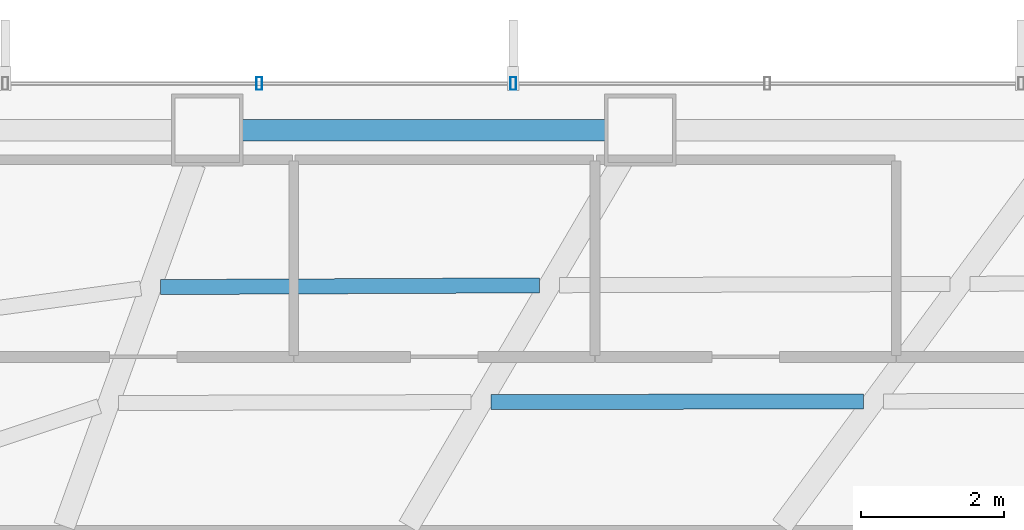
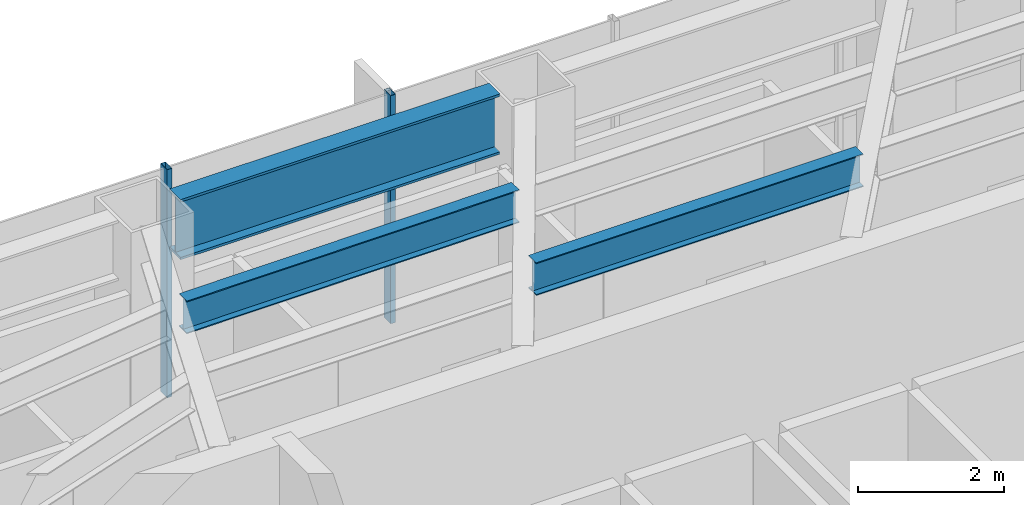
# One storey, part 10 of 24: 3 beams, 2 members, 1 element without a shape of its own.
"""IFC4 building model written with IfcOpenShell, lengths in metres."""

from ifc_helpers import new_model, si_unit, direction, frame, origin, origin_2d, place, context, subcontext, project, spatial, hollow_rectangle, i_section, extrude, material, layer, layer_set, material_profile, profile_set, type_object, element, aggregate, save


model = new_model("IFC4")

# Units and contexts
model_context = context("Model", 3, precision=1e-05, world=origin(), true_north=direction((0.0, 1.0)))
body_context = subcontext(model_context, "Body", "Model", "MODEL_VIEW")
ifc_project = project(units=[si_unit("LENGTHUNIT", "METRE"), si_unit("AREAUNIT", "SQUARE_METRE"), si_unit("VOLUMEUNIT", "CUBIC_METRE"), si_unit("PLANEANGLEUNIT", "RADIAN"), si_unit("MASSUNIT", "GRAM", prefix="KILO")], contexts=[model_context])

# Site, building, storey
site_placement = place(None, origin())
site = spatial("IfcSite", under=ifc_project, at=site_placement, CompositionType="ELEMENT")
building_placement = place(site_placement, origin())
building = spatial("IfcBuilding", under=site, at=building_placement, Name="Zarrinselat Tower", CompositionType="ELEMENT")
storey_placement = place(building_placement, frame((0.0, 0.0, 64.260009765625)))
storey = spatial("IfcBuildingStorey", under=building, at=storey_placement, Name="L15", CompositionType="ELEMENT", Elevation=64.260009765625)

# Beams
ifc_material_1 = material(Name="Steel S460M", Category="steel")
ifc_material_profile_1 = material_profile(ifc_material_1, i_section(OverallWidth=0.302001953125, OverallDepth=1.008056640625, WebThickness=0.02099609375, FlangeThickness=0.0400390625, at=origin_2d()), Name="HEM 1000")
ifc_profile_set_1 = profile_set([ifc_material_profile_1], Name="Steel S460M")
beam_type_1 = type_object("IfcBeamType", Name="BM-HEM1000", PredefinedType="BEAM", material=ifc_profile_set_1)
beam_1_placement = place(storey_placement, frame((33.4833984375, 49.1611328125, 3.31591796875), z_axis=(1.0, 0.0, 0.0), x_axis=(0.0, 1.0, 0.0)))
element("IfcBeam", 1, at=beam_1_placement, inside=storey, type_object=beam_type_1, Name="L15 Perimeter Spandrel Girder SP03", PredefinedType="BEAM", context=body_context, shape_type="SweptSolid", body=[
    extrude(i_section(OverallWidth=0.302001953125, OverallDepth=1.008056640625, WebThickness=0.02099609375, FlangeThickness=0.0400390625, at=origin_2d()), origin(), (0.0, 0.0, 1.0), 5.059814453125),
])
ifc_material_2 = material(Name="Steel S355J2", Category="steel")
ifc_material_profile_2 = material_profile(ifc_material_2, i_section(OverallWidth=0.2099609375, OverallDepth=0.550048828125, WebThickness=0.010986328125, FlangeThickness=0.01708984375, at=origin_2d()), Name="IPE 550")
ifc_profile_set_2 = profile_set([ifc_material_profile_2], Name="Steel S355J2")
beam_type_2 = type_object("IfcBeamType", Name="BM-IPE550", PredefinedType="JOIST", material=ifc_profile_set_2)
beam_2_placement = place(storey_placement, frame((36.952392578125, 45.3701171875, 3.544921875), z_axis=(0.999998401863, 0.001787811775, 0.0), x_axis=(-0.001787811775, 0.999998401863, 0.0)))
element("IfcBeam", 2, at=beam_2_placement, inside=storey, type_object=beam_type_2, Name="L15 Composite Floor Joist 8-2", PredefinedType="JOIST", context=body_context, shape_type="SweptSolid", body=[
    extrude(i_section(OverallWidth=0.2099609375, OverallDepth=0.550048828125, WebThickness=0.010986328125, FlangeThickness=0.01708984375, at=origin_2d()), origin(), (0.0, 0.0, 1.0), 5.189208984375),
])
beam_3_placement = place(storey_placement, frame((32.344482421875, 46.972900390625, 3.544921875), z_axis=(0.999989313143, 0.004623159099, 0.0), x_axis=(-0.004623159099, 0.999989313143, 0.0)))
element("IfcBeam", 3, at=beam_3_placement, inside=storey, type_object=beam_type_2, Name="L15 Composite Floor Joist 9-1", PredefinedType="JOIST", context=body_context, shape_type="SweptSolid", body=[
    extrude(i_section(OverallWidth=0.2099609375, OverallDepth=0.550048828125, WebThickness=0.010986328125, FlangeThickness=0.01708984375, at=origin_2d()), origin(), (0.0, 0.0, 1.0), 5.28076171875),
])

# Curtain wall, members
ifc_material_3 = material(Name="Extruded Aluminium Alloy EN AW-6063 T6", Category="aluminium")
ifc_layer = layer(ifc_material_3, 0.18505859375)
ifc_layer_set = layer_set([ifc_layer], Name="Extruded Aluminium Alloy EN AW-6063 T6")
curtain_wall_type = type_object("IfcCurtainWallType", Name="CWS-OFF", PredefinedType="NOTDEFINED", material=ifc_layer_set)
curtain_wall_placement = place(storey_placement, origin())
curtain_wall = element("IfcCurtainWall", 4, at=curtain_wall_placement, inside=storey, type_object=curtain_wall_type, Name="L15 Unitised Curtain Wall CW-L15-E02", PredefinedType="NOTDEFINED")
ifc_material_4 = material(Name="Extruded Aluminium Alloy EN AW-6063 T6", Category="aluminium")
ifc_material_profile_3 = material_profile(ifc_material_4, hollow_rectangle(XDim=0.080078125, YDim=0.179931640625, WallThickness=0.0048828125, at=origin_2d()), Name="RHS 180x80x5")
ifc_profile_set_3 = profile_set([ifc_material_profile_3], Name="Extruded Aluminium Alloy EN AW-6063 T6")
member_type = type_object("IfcMemberType", Name="MEM-CW-MUL", PredefinedType="MULLION", material=ifc_profile_set_3)
member_1_placement = place(storey_placement, frame((33.71923828125, 49.81103515625, 0.0), z_axis=(0.0, 0.0, 1.0), x_axis=(1.0, 0.0, 0.0)))
member_1 = element("IfcMember", 5, at=member_1_placement, type_object=member_type, Name="CW-L15-E02 Mullion 2", PredefinedType="MULLION", context=body_context, shape_type="SweptSolid", body=[
    extrude(hollow_rectangle(XDim=0.080078125, YDim=0.179931640625, WallThickness=0.0048828125, at=origin_2d()), origin(), (0.0, 0.0, 1.0), 3.820068359375),
])
member_2_placement = place(storey_placement, frame((37.260498046875, 49.81103515625, 0.0), z_axis=(0.0, 0.0, 1.0), x_axis=(1.0, 0.0, 0.0)))
member_2 = element("IfcMember", 6, at=member_2_placement, type_object=member_type, Name="CW-L15-E02 Mullion 3", PredefinedType="MULLION", context=body_context, shape_type="SweptSolid", body=[
    extrude(hollow_rectangle(XDim=0.080078125, YDim=0.179931640625, WallThickness=0.0048828125, at=origin_2d()), origin(), (0.0, 0.0, 1.0), 3.820068359375),
])
aggregate(curtain_wall, [member_1, member_2])

save(model, "model.ifc")
